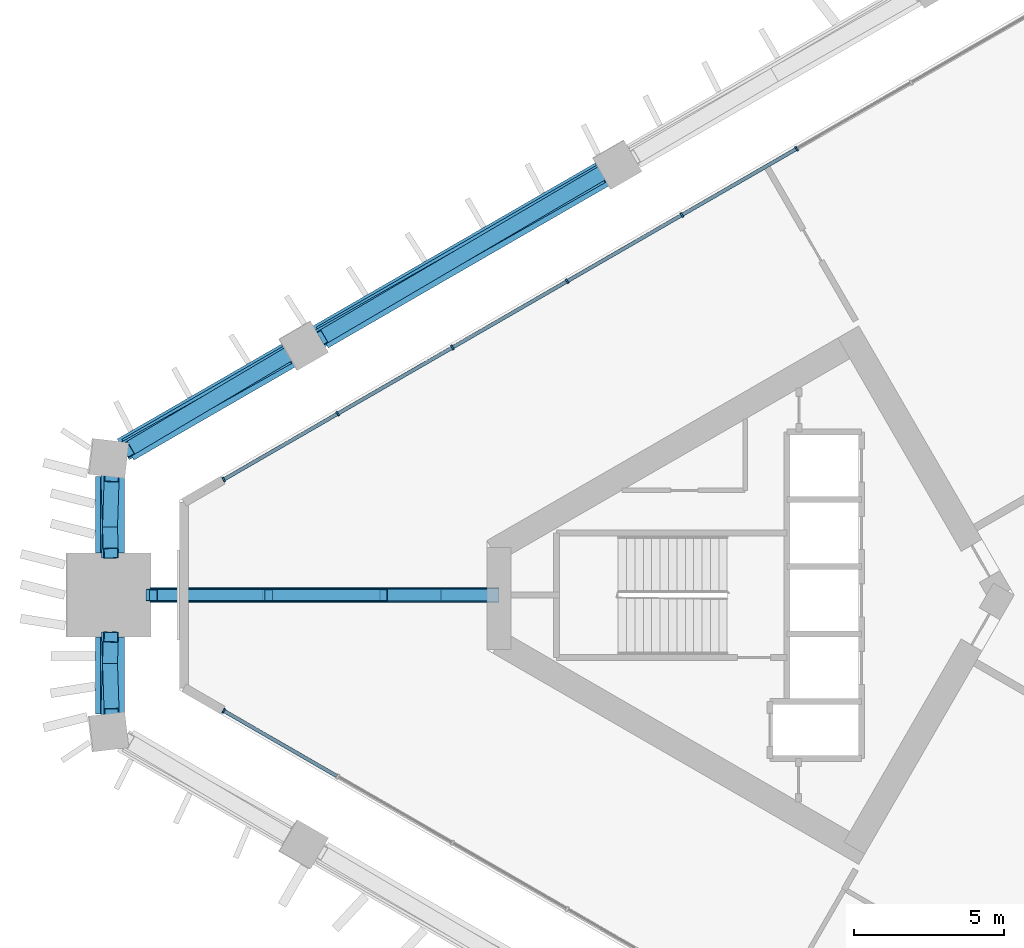
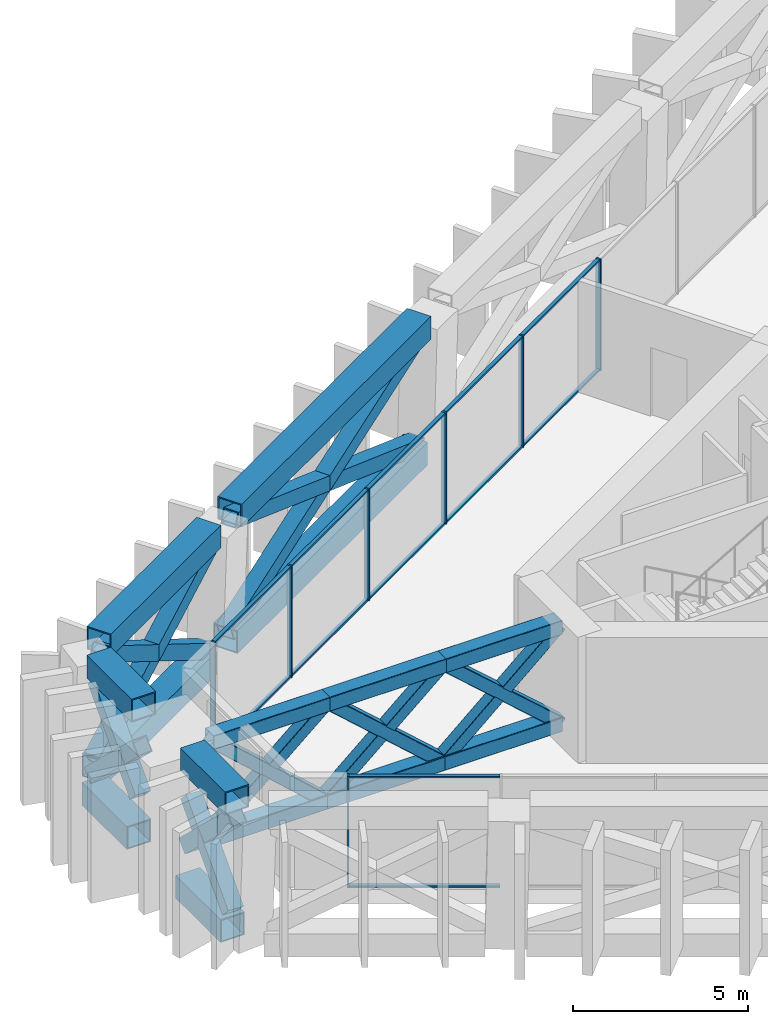
# One storey, part 6 of 18: 47 members, 2 elements without a shape of their own.
"""IFC4 building model written with IfcOpenShell, lengths in metres."""

from ifc_helpers import new_model, si_unit, direction, frame, origin, origin_2d, place, context, subcontext, project, spatial, rectangle, hollow_rectangle, extrude, material, layer, layer_set, material_profile, profile_set, type_object, element, aggregate, save


model = new_model("IFC4")

# Units and contexts
model_context = context("Model", 3, precision=1e-05, world=origin(), true_north=direction((0.0, 1.0)))
body_context = subcontext(model_context, "Body", "Model", "MODEL_VIEW")
ifc_project = project(units=[si_unit("LENGTHUNIT", "METRE"), si_unit("AREAUNIT", "SQUARE_METRE"), si_unit("VOLUMEUNIT", "CUBIC_METRE"), si_unit("PLANEANGLEUNIT", "RADIAN"), si_unit("MASSUNIT", "GRAM", prefix="KILO")], contexts=[model_context])

# Site, building, storey
site_placement = place(None, origin())
site = spatial("IfcSite", under=ifc_project, at=site_placement, CompositionType="ELEMENT")
building_placement = place(site_placement, origin())
building = spatial("IfcBuilding", under=site, at=building_placement, Name="Jabali Bay Hotel Tower and Convention Centre", CompositionType="ELEMENT")
storey_placement = place(building_placement, frame((0.0, 0.0, 52.89990234375)))
storey = spatial("IfcBuildingStorey", under=building, at=storey_placement, Name="L11", CompositionType="ELEMENT", Elevation=52.89990234375)

# Members
ifc_material_1 = material(Name="Steel Q420GJC", Category="steel")
ifc_material_profile_1 = material_profile(ifc_material_1, hollow_rectangle(XDim=0.5, YDim=0.5, WallThickness=0.030029296875, at=origin_2d()), Name="Belt brace 500x500x30")
ifc_profile_set_1 = profile_set([ifc_material_profile_1], Name="Steel Q420GJC")
member_type_1 = type_object("IfcMemberType", Name="Belt brace 500x500x30", PredefinedType="BRACE", material=ifc_profile_set_1)
member_1_placement = place(storey_placement, frame((52.21337890625, 94.07568359375, 0.219970703125), z_axis=(-0.809606268259, -0.475455089943, 0.344209453449), x_axis=(0.506399714838, -0.862298862815, 0.0)))
element("IfcMember", 1, at=member_1_placement, inside=storey, type_object=member_type_1, Name="Belt brace T1 F1.4-F1.5 x1", PredefinedType="BRACE", context=body_context, shape_type="SweptSolid", body=[
    extrude(hollow_rectangle(XDim=0.5, YDim=0.5, WallThickness=0.030029296875, at=origin_2d()), origin(), (0.0, 0.0, 1.0), 11.505126953125),
])
member_2_placement = place(storey_placement, frame((42.77734375, 88.6279296875, 0.217529296875), z_axis=(0.81764262067, 0.464122989856, 0.340661701914), x_axis=(-0.493650212477, 0.86966054741, 0.0)))
element("IfcMember", 2, at=member_2_placement, inside=storey, type_object=member_type_1, Name="Belt brace T1 F1.4-F1.5 x2", PredefinedType="BRACE", context=body_context, shape_type="SweptSolid", body=[
    extrude(hollow_rectangle(XDim=0.5, YDim=0.5, WallThickness=0.030029296875, at=origin_2d()), origin(), (0.0, 0.0, 1.0), 11.639404296875),
])
member_3_placement = place(storey_placement, frame((41.739501953125, 88.025390625, 0.356689453125), z_axis=(-0.739190475785, -0.438681780781, 0.511033986853), x_axis=(0.510355905698, -0.85996328382, 0.0)))
element("IfcMember", 3, at=member_3_placement, inside=storey, type_object=member_type_1, Name="Belt brace T1 F1.5-V3 x1", PredefinedType="BRACE", context=body_context, shape_type="SweptSolid", body=[
    extrude(hollow_rectangle(XDim=0.5, YDim=0.5, WallThickness=0.030029296875, at=origin_2d()), origin(), (0.0, 0.0, 1.0), 7.21435546875),
])
member_4_placement = place(storey_placement, frame((36.259033203125, 84.861572265625, 0.346435546875), z_axis=(0.755034238339, 0.42426642668, 0.499921291933), x_axis=(-0.48987496926, 0.87179270156, 0.0)))
element("IfcMember", 4, at=member_4_placement, inside=storey, type_object=member_type_1, Name="Belt brace T1 F1.5-V3 x2", PredefinedType="BRACE", context=body_context, shape_type="SweptSolid", body=[
    extrude(hollow_rectangle(XDim=0.5, YDim=0.5, WallThickness=0.030029296875, at=origin_2d()), origin(), (0.0, 0.0, 1.0), 7.415771484375),
])
member_5_placement = place(storey_placement, frame((35.756103515625, 83.9677734375, 0.57763671875), z_axis=(0.0244292941, -0.719945667307, 0.69360035014), x_axis=(0.999424801743, 0.033912618023, 0.0)))
element("IfcMember", 5, at=member_5_placement, inside=storey, type_object=member_type_1, Name="Belt brace T1 V3-M0 x1", PredefinedType="BRACE", context=body_context, shape_type="SweptSolid", body=[
    extrude(hollow_rectangle(XDim=0.5, YDim=0.5, WallThickness=0.030029296875, at=origin_2d()), origin(), (0.0, 0.0, 1.0), 3.56787109375),
])
for number, where, z_axis, x_axis, name in (
    (6, (35.783447265625, 81.399169921875, 1.351806640625), (0.024451418613, 0.718981601247, 0.694598866394), (-0.99942221528, 0.033988757035, 0.0), "Belt brace T1 V3-M0 x2"),
    (7, (35.783447265625, 78.600830078125, 1.351806640625), (0.024451418613, -0.718981601247, 0.694598866394), (0.99942221528, 0.033988757035, 0.0), "Belt brace T1 M0-V4 x1"),
):
    element("IfcMember", number, at=place(storey_placement, frame(where, z_axis=z_axis, x_axis=x_axis)), inside=storey, type_object=member_type_1, Name=name, PredefinedType="BRACE", context=body_context, shape_type="SweptSolid", body=[
        extrude(hollow_rectangle(XDim=0.5, YDim=0.5, WallThickness=0.030029296875, at=origin_2d()), origin(), (0.0, 0.0, 1.0), 3.554443359375),
    ])
member_6_placement = place(storey_placement, frame((35.756103515625, 76.0322265625, 0.57763671875), z_axis=(0.0244292941, 0.719945667307, 0.69360035014), x_axis=(-0.999424801743, 0.033912618023, 0.0)))
element("IfcMember", 8, at=member_6_placement, inside=storey, type_object=member_type_1, Name="Belt brace T1 M0-V4 x2", PredefinedType="BRACE", context=body_context, shape_type="SweptSolid", body=[
    extrude(hollow_rectangle(XDim=0.5, YDim=0.5, WallThickness=0.030029296875, at=origin_2d()), origin(), (0.0, 0.0, 1.0), 3.56787109375),
])
ifc_material_profile_2 = material_profile(ifc_material_1, hollow_rectangle(XDim=0.800048828125, YDim=0.800048828125, WallThickness=0.0400390625, at=origin_2d()), Name="Belt chord 800x800x40")
ifc_profile_set_2 = profile_set([ifc_material_profile_2], Name="Steel Q420GJC")
member_type_2 = type_object("IfcMemberType", Name="Belt chord 800x800x40", PredefinedType="CHORD", material=ifc_profile_set_2)
member_7_placement = place(storey_placement, frame((52.211181640625, 94.07958984375, 0.0), z_axis=(-0.866021405433, -0.500006925284, 0.0), x_axis=(0.500006925284, -0.866021405433, 0.0)))
element("IfcMember", 9, at=member_7_placement, inside=storey, type_object=member_type_2, Name="Belt chord T1 F1.4-F1.5", PredefinedType="CHORD", context=body_context, shape_type="SweptSolid", body=[
    extrude(hollow_rectangle(XDim=0.800048828125, YDim=0.800048828125, WallThickness=0.0400390625, at=origin_2d()), origin(), (0.0, 0.0, 1.0), 10.895751953125),
])
member_8_placement = place(storey_placement, frame((41.73583984375, 88.03173828125, 0.0), z_axis=(-0.866014693011, -0.500018551145, 0.0), x_axis=(0.500018551145, -0.866014693011, 0.0)))
element("IfcMember", 10, at=member_8_placement, inside=storey, type_object=member_type_2, Name="Belt chord T1 F1.5-V3", PredefinedType="CHORD", context=body_context, shape_type="SweptSolid", body=[
    extrude(hollow_rectangle(XDim=0.800048828125, YDim=0.800048828125, WallThickness=0.0400390625, at=origin_2d()), origin(), (0.0, 0.0, 1.0), 6.328369140625),
])
for number, where, z_axis, x_axis, name in (
    (11, (35.73583984375, 83.967529296875, 0.0), (0.0, -1.0, 0.0), (1.0, 0.0, 0.0), "Belt chord T1 V3-M0"),
    (12, (35.73583984375, 78.60009765625, 0.0), (0.0, -1.0, 0.0), (1.0, 0.0, 0.0), "Belt chord T1 M0-V4"),
):
    element("IfcMember", number, at=place(storey_placement, frame(where, z_axis=z_axis, x_axis=x_axis)), inside=storey, type_object=member_type_2, Name=name, PredefinedType="CHORD", context=body_context, shape_type="SweptSolid", body=[
        extrude(hollow_rectangle(XDim=0.800048828125, YDim=0.800048828125, WallThickness=0.0400390625, at=origin_2d()), origin(), (0.0, 0.0, 1.0), 2.567626953125),
    ])
member_9_placement = place(storey_placement, frame((52.29638671875, 94.026123046875, 4.400146484375), z_axis=(-0.866022945871, -0.500004257206, 0.0), x_axis=(0.500004257206, -0.866022945871, 0.0)))
element("IfcMember", 13, at=member_9_placement, inside=storey, type_object=member_type_2, Name="Belt chord T1 F1.4-F1.5", PredefinedType="CHORD", context=body_context, shape_type="SweptSolid", body=[
    extrude(hollow_rectangle(XDim=0.800048828125, YDim=0.800048828125, WallThickness=0.0400390625, at=origin_2d()), origin(), (0.0, 0.0, 1.0), 10.84912109375),
])
member_10_placement = place(storey_placement, frame((41.861572265625, 88.001708984375, 4.400146484375), z_axis=(-0.86602669382, -0.499997765587, 0.0), x_axis=(0.499997765587, -0.86602669382, 0.0)))
element("IfcMember", 14, at=member_10_placement, inside=storey, type_object=member_type_2, Name="Belt chord T1 F1.5-V3", PredefinedType="CHORD", context=body_context, shape_type="SweptSolid", body=[
    extrude(hollow_rectangle(XDim=0.800048828125, YDim=0.800048828125, WallThickness=0.0400390625, at=origin_2d()), origin(), (0.0, 0.0, 1.0), 6.29443359375),
])
for number, where, z_axis, x_axis, name in (
    (15, (35.890869140625, 83.954345703125, 4.400146484375), (0.0, -1.0, 0.0), (1.0, 0.0, 0.0), "Belt chord T1 V3-M0"),
    (16, (35.890869140625, 78.60009765625, 4.400146484375), (0.0, -1.0, 0.0), (1.0, 0.0, 0.0), "Belt chord T1 M0-V4"),
):
    element("IfcMember", number, at=place(storey_placement, frame(where, z_axis=z_axis, x_axis=x_axis)), inside=storey, type_object=member_type_2, Name=name, PredefinedType="CHORD", context=body_context, shape_type="SweptSolid", body=[
        extrude(hollow_rectangle(XDim=0.800048828125, YDim=0.800048828125, WallThickness=0.0400390625, at=origin_2d()), origin(), (0.0, 0.0, 1.0), 2.554443359375),
    ])

# Curtain wall, members
ifc_material_2 = material(Name="Aluminium and glass", Category="aluminium")
ifc_layer = layer(ifc_material_2, 0.159912109375)
ifc_layer_set = layer_set([ifc_layer], Name="Aluminium and glass")
curtain_wall_type = type_object("IfcCurtainWallType", Name="CW3 curtain wall", PredefinedType="NOTDEFINED", material=ifc_layer_set)
curtain_wall_1_placement = place(storey_placement, origin())
curtain_wall_1 = element("IfcCurtainWall", 17, at=curtain_wall_1_placement, inside=storey, type_object=curtain_wall_type, Name="CW3 curtain wall north-west face L11", PredefinedType="NOTDEFINED")
ifc_material_3 = material(Name="Aluminium", Category="aluminium")
ifc_material_profile_3 = material_profile(ifc_material_3, rectangle(XDim=0.159912109375, YDim=0.06005859375, at=origin_2d()), Name="CW3 mullion 60 x 160")
ifc_profile_set_3 = profile_set([ifc_material_profile_3], Name="Aluminium")
member_type_3 = type_object("IfcMemberType", Name="CW3 mullion 60 x 160", PredefinedType="MULLION", material=ifc_profile_set_3)
member_11_placement = place(storey_placement, frame((39.61083984375, 83.8603515625, 0.0), z_axis=(0.0, 0.0, 1.0), x_axis=(-0.500000005895, 0.866025400381, 0.0)))
member_11 = element("IfcMember", 18, at=member_11_placement, type_object=member_type_3, Name="CW3 mullion 1", PredefinedType="MULLION", context=body_context, shape_type="SweptSolid", body=[
    extrude(rectangle(XDim=0.159912109375, YDim=0.06005859375, at=origin_2d()), origin(), (0.0, 0.0, 1.0), 3.900146484375),
])
member_12_placement = place(storey_placement, frame((43.4150390625, 86.056640625, 0.0), z_axis=(0.0, 0.0, 1.0), x_axis=(-0.500000005895, 0.866025400381, 0.0)))
member_12 = element("IfcMember", 19, at=member_12_placement, type_object=member_type_3, Name="CW3 mullion 2", PredefinedType="MULLION", context=body_context, shape_type="SweptSolid", body=[
    extrude(rectangle(XDim=0.159912109375, YDim=0.06005859375, at=origin_2d()), origin(), (0.0, 0.0, 1.0), 3.900146484375),
])
member_13_placement = place(storey_placement, frame((47.245361328125, 88.26806640625, 0.0), z_axis=(0.0, 0.0, 1.0), x_axis=(-0.500000005895, 0.866025400381, 0.0)))
member_13 = element("IfcMember", 20, at=member_13_placement, type_object=member_type_3, Name="CW3 mullion 3", PredefinedType="MULLION", context=body_context, shape_type="SweptSolid", body=[
    extrude(rectangle(XDim=0.159912109375, YDim=0.06005859375, at=origin_2d()), origin(), (0.0, 0.0, 1.0), 3.900146484375),
])
member_14_placement = place(storey_placement, frame((51.075439453125, 90.4794921875, 0.0), z_axis=(0.0, 0.0, 1.0), x_axis=(-0.500000005895, 0.866025400381, 0.0)))
member_14 = element("IfcMember", 21, at=member_14_placement, type_object=member_type_3, Name="CW3 mullion 4", PredefinedType="MULLION", context=body_context, shape_type="SweptSolid", body=[
    extrude(rectangle(XDim=0.159912109375, YDim=0.06005859375, at=origin_2d()), origin(), (0.0, 0.0, 1.0), 3.900146484375),
])
member_15_placement = place(storey_placement, frame((54.90576171875, 92.690673828125, 0.0), z_axis=(0.0, 0.0, 1.0), x_axis=(-0.500000005895, 0.866025400381, 0.0)))
member_15 = element("IfcMember", 22, at=member_15_placement, type_object=member_type_3, Name="CW3 mullion 5", PredefinedType="MULLION", context=body_context, shape_type="SweptSolid", body=[
    extrude(rectangle(XDim=0.159912109375, YDim=0.06005859375, at=origin_2d()), origin(), (0.0, 0.0, 1.0), 3.900146484375),
])
member_16_placement = place(storey_placement, frame((58.73583984375, 94.902099609375, 0.0), z_axis=(0.0, 0.0, 1.0), x_axis=(-0.500000005895, 0.866025400381, 0.0)))
member_16 = element("IfcMember", 23, at=member_16_placement, type_object=member_type_3, Name="CW3 mullion 6", PredefinedType="MULLION", context=body_context, shape_type="SweptSolid", body=[
    extrude(rectangle(XDim=0.159912109375, YDim=0.06005859375, at=origin_2d()), origin(), (0.0, 0.0, 1.0), 3.900146484375),
])

# Curtain wall, member
curtain_wall_2_placement = place(storey_placement, origin())
curtain_wall_2 = element("IfcCurtainWall", 24, at=curtain_wall_2_placement, inside=storey, type_object=curtain_wall_type, Name="CW3 curtain wall south-west face L11", PredefinedType="NOTDEFINED")
member_17_placement = place(storey_placement, frame((39.61083984375, 76.1396484375, 0.0), z_axis=(0.0, 0.0, 1.0), x_axis=(-0.500000005895, -0.866025400381, 0.0)))
member_17 = element("IfcMember", 25, at=member_17_placement, type_object=member_type_3, Name="CW3 mullion 14", PredefinedType="MULLION", context=body_context, shape_type="SweptSolid", body=[
    extrude(rectangle(XDim=0.159912109375, YDim=0.06005859375, at=origin_2d()), origin(), (0.0, 0.0, 1.0), 3.900146484375),
])

# Member
ifc_material_profile_4 = material_profile(ifc_material_3, rectangle(XDim=0.1201171875, YDim=0.06005859375, at=origin_2d()), Name="CW3 transom 60 x 120")
ifc_profile_set_4 = profile_set([ifc_material_profile_4], Name="Aluminium")
member_type_4 = type_object("IfcMemberType", Name="CW3 transom 60 x 120", PredefinedType="USERDEFINED", material=ifc_profile_set_4)
member_18_placement = place(storey_placement, frame((39.636962890625, 83.875244140625, 0.030029296875), z_axis=(0.866008233186, 0.500029739169, 0.0), x_axis=(-0.500029739169, 0.866008233186, 0.0)))
member_18 = element("IfcMember", 26, at=member_18_placement, type_object=member_type_4, Name="CW3 transom 1.1", ObjectType="TRANSOM", PredefinedType="USERDEFINED", context=body_context, shape_type="SweptSolid", body=[
    extrude(rectangle(XDim=0.1201171875, YDim=0.06005859375, at=origin_2d()), origin(), (0.0, 0.0, 1.0), 4.332763671875),
])

member_19_placement = place(storey_placement, frame((39.636962890625, 83.875244140625, 3.8701171875), z_axis=(0.866008233186, 0.500029739169, 0.0), x_axis=(-0.500029739169, 0.866008233186, 0.0)))
member_19 = element("IfcMember", 27, at=member_19_placement, type_object=member_type_4, Name="CW3 transom 1.2", ObjectType="TRANSOM", PredefinedType="USERDEFINED", context=body_context, shape_type="SweptSolid", body=[
    extrude(rectangle(XDim=0.1201171875, YDim=0.06005859375, at=origin_2d()), origin(), (0.0, 0.0, 1.0), 4.332763671875),
])

member_20_placement = place(storey_placement, frame((43.441162109375, 86.071533203125, 0.030029296875), z_axis=(0.866013176292, 0.50002117804, 0.0), x_axis=(-0.50002117804, 0.866013176292, 0.0)))
member_20 = element("IfcMember", 28, at=member_20_placement, type_object=member_type_4, Name="CW3 transom 2.1", ObjectType="TRANSOM", PredefinedType="USERDEFINED", context=body_context, shape_type="SweptSolid", body=[
    extrude(rectangle(XDim=0.1201171875, YDim=0.06005859375, at=origin_2d()), origin(), (0.0, 0.0, 1.0), 4.362548828125),
])

member_21_placement = place(storey_placement, frame((43.441162109375, 86.071533203125, 3.8701171875), z_axis=(0.866013176292, 0.50002117804, 0.0), x_axis=(-0.50002117804, 0.866013176292, 0.0)))
member_21 = element("IfcMember", 29, at=member_21_placement, type_object=member_type_4, Name="CW3 transom 2.2", ObjectType="TRANSOM", PredefinedType="USERDEFINED", context=body_context, shape_type="SweptSolid", body=[
    extrude(rectangle(XDim=0.1201171875, YDim=0.06005859375, at=origin_2d()), origin(), (0.0, 0.0, 1.0), 4.362548828125),
])

member_22_placement = place(storey_placement, frame((47.271240234375, 88.282958984375, 0.030029296875), z_axis=(0.86602716698, 0.499996946043, 0.0), x_axis=(-0.499996946043, 0.86602716698, 0.0)))
member_22 = element("IfcMember", 30, at=member_22_placement, type_object=member_type_4, Name="CW3 transom 3.1", ObjectType="TRANSOM", PredefinedType="USERDEFINED", context=body_context, shape_type="SweptSolid", body=[
    extrude(rectangle(XDim=0.1201171875, YDim=0.06005859375, at=origin_2d()), origin(), (0.0, 0.0, 1.0), 4.36279296875),
])

member_23_placement = place(storey_placement, frame((47.271240234375, 88.282958984375, 3.8701171875), z_axis=(0.86602716698, 0.499996946043, 0.0), x_axis=(-0.499996946043, 0.86602716698, 0.0)))
member_23 = element("IfcMember", 31, at=member_23_placement, type_object=member_type_4, Name="CW3 transom 3.2", ObjectType="TRANSOM", PredefinedType="USERDEFINED", context=body_context, shape_type="SweptSolid", body=[
    extrude(rectangle(XDim=0.1201171875, YDim=0.06005859375, at=origin_2d()), origin(), (0.0, 0.0, 1.0), 4.36279296875),
])

member_24_placement = place(storey_placement, frame((51.1015625, 90.494384765625, 0.030029296875), z_axis=(0.866013176292, 0.50002117804, 0.0), x_axis=(-0.50002117804, 0.866013176292, 0.0)))
member_24 = element("IfcMember", 32, at=member_24_placement, type_object=member_type_4, Name="CW3 transom 4.1", ObjectType="TRANSOM", PredefinedType="USERDEFINED", context=body_context, shape_type="SweptSolid", body=[
    extrude(rectangle(XDim=0.1201171875, YDim=0.06005859375, at=origin_2d()), origin(), (0.0, 0.0, 1.0), 4.362548828125),
])

member_25_placement = place(storey_placement, frame((51.1015625, 90.494384765625, 3.8701171875), z_axis=(0.866013176292, 0.50002117804, 0.0), x_axis=(-0.50002117804, 0.866013176292, 0.0)))
member_25 = element("IfcMember", 33, at=member_25_placement, type_object=member_type_4, Name="CW3 transom 4.2", ObjectType="TRANSOM", PredefinedType="USERDEFINED", context=body_context, shape_type="SweptSolid", body=[
    extrude(rectangle(XDim=0.1201171875, YDim=0.06005859375, at=origin_2d()), origin(), (0.0, 0.0, 1.0), 4.362548828125),
])

member_26_placement = place(storey_placement, frame((54.931640625, 92.705810546875, 0.030029296875), z_axis=(0.86602716698, 0.499996946043, 0.0), x_axis=(-0.499996946043, 0.86602716698, 0.0)))
member_26 = element("IfcMember", 34, at=member_26_placement, type_object=member_type_4, Name="CW3 transom 5.1", ObjectType="TRANSOM", PredefinedType="USERDEFINED", context=body_context, shape_type="SweptSolid", body=[
    extrude(rectangle(XDim=0.1201171875, YDim=0.06005859375, at=origin_2d()), origin(), (0.0, 0.0, 1.0), 4.36279296875),
])

member_27_placement = place(storey_placement, frame((54.931640625, 92.705810546875, 3.8701171875), z_axis=(0.86602716698, 0.499996946043, 0.0), x_axis=(-0.499996946043, 0.86602716698, 0.0)))
member_27 = element("IfcMember", 35, at=member_27_placement, type_object=member_type_4, Name="CW3 transom 5.2", ObjectType="TRANSOM", PredefinedType="USERDEFINED", context=body_context, shape_type="SweptSolid", body=[
    extrude(rectangle(XDim=0.1201171875, YDim=0.06005859375, at=origin_2d()), origin(), (0.0, 0.0, 1.0), 4.36279296875),
])

aggregate(curtain_wall_1, [member_11, member_12, member_13, member_14, member_15, member_16, member_18, member_19, member_20, member_21, member_22, member_23, member_24, member_25, member_26, member_27])

member_28_placement = place(storey_placement, frame((43.38916015625, 73.958251953125, 0.030029296875), z_axis=(-0.866008233186, 0.500029739169, 0.0), x_axis=(-0.500029739169, -0.866008233186, 0.0)))
member_28 = element("IfcMember", 36, at=member_28_placement, type_object=member_type_4, Name="CW3 transom 13.1", ObjectType="TRANSOM", PredefinedType="USERDEFINED", context=body_context, shape_type="SweptSolid", body=[
    extrude(rectangle(XDim=0.1201171875, YDim=0.06005859375, at=origin_2d()), origin(), (0.0, 0.0, 1.0), 4.332763671875),
])

member_29_placement = place(storey_placement, frame((43.38916015625, 73.958251953125, 3.8701171875), z_axis=(-0.866008233186, 0.500029739169, 0.0), x_axis=(-0.500029739169, -0.866008233186, 0.0)))
member_29 = element("IfcMember", 37, at=member_29_placement, type_object=member_type_4, Name="CW3 transom 13.2", ObjectType="TRANSOM", PredefinedType="USERDEFINED", context=body_context, shape_type="SweptSolid", body=[
    extrude(rectangle(XDim=0.1201171875, YDim=0.06005859375, at=origin_2d()), origin(), (0.0, 0.0, 1.0), 4.332763671875),
])

aggregate(curtain_wall_2, [member_17, member_28, member_29])

# Members
ifc_material_profile_5 = material_profile(ifc_material_1, hollow_rectangle(XDim=0.39990234375, YDim=0.39990234375, WallThickness=0.011962890625, InnerFilletRadius=0.01806640625, OuterFilletRadius=0.030029296875, at=origin_2d()), Name="Outrigger brace 400x400x12")
ifc_profile_set_5 = profile_set([ifc_material_profile_5], Name="Steel Q420GJC")
member_type_5 = type_object("IfcMemberType", Name="Outrigger brace 400x400x12", PredefinedType="BRACE", material=ifc_profile_set_5)
member_30_placement = place(storey_placement, frame((48.796875, 80.0, 0.25), z_axis=(-0.749047407582, 0.0, 0.662516400698), x_axis=(0.0, -1.0, 0.0)))
element("IfcMember", 38, at=member_30_placement, inside=storey, type_object=member_type_5, Name="Outrigger brace T1 1.1x1", PredefinedType="BRACE", context=body_context, shape_type="SweptSolid", body=[
    extrude(hollow_rectangle(XDim=0.39990234375, YDim=0.39990234375, WallThickness=0.011962890625, InnerFilletRadius=0.01806640625, OuterFilletRadius=0.030029296875, at=origin_2d()), origin(), (0.0, 0.0, 1.0), 5.132080078125),
])
member_31_placement = place(storey_placement, frame((44.912841796875, 80.0, 0.25), z_axis=(0.752421394428, 0.0, 0.658682051681), x_axis=(0.0, 1.0, 0.0)))
element("IfcMember", 39, at=member_31_placement, inside=storey, type_object=member_type_5, Name="Outrigger brace T1 1.1x2", PredefinedType="BRACE", context=body_context, shape_type="SweptSolid", body=[
    extrude(hollow_rectangle(XDim=0.39990234375, YDim=0.39990234375, WallThickness=0.011962890625, InnerFilletRadius=0.01806640625, OuterFilletRadius=0.030029296875, at=origin_2d()), origin(), (0.0, 0.0, 1.0), 5.162109375),
])
member_32_placement = place(storey_placement, frame((44.912841796875, 80.0, 0.25), z_axis=(-0.745592867828, 0.0, 0.666401737276), x_axis=(0.0, -1.0, 0.0)))
element("IfcMember", 40, at=member_32_placement, inside=storey, type_object=member_type_5, Name="Outrigger brace T1 1.2x1", PredefinedType="BRACE", context=body_context, shape_type="SweptSolid", body=[
    extrude(hollow_rectangle(XDim=0.39990234375, YDim=0.39990234375, WallThickness=0.011962890625, InnerFilletRadius=0.01806640625, OuterFilletRadius=0.030029296875, at=origin_2d()), origin(), (0.0, 0.0, 1.0), 5.102294921875),
])
member_33_placement = place(storey_placement, frame((41.02880859375, 80.0, 0.25), z_axis=(0.755737176833, 0.0, 0.654875041174), x_axis=(0.0, 1.0, 0.0)))
element("IfcMember", 41, at=member_33_placement, inside=storey, type_object=member_type_5, Name="Outrigger brace T1 1.2x2", PredefinedType="BRACE", context=body_context, shape_type="SweptSolid", body=[
    extrude(hollow_rectangle(XDim=0.39990234375, YDim=0.39990234375, WallThickness=0.011962890625, InnerFilletRadius=0.01806640625, OuterFilletRadius=0.030029296875, at=origin_2d()), origin(), (0.0, 0.0, 1.0), 5.192138671875),
])
member_34_placement = place(storey_placement, frame((41.02880859375, 80.0, 0.25), z_axis=(-0.742098781398, 0.0, 0.670290533013), x_axis=(0.0, -1.0, 0.0)))
element("IfcMember", 42, at=member_34_placement, inside=storey, type_object=member_type_5, Name="Outrigger brace T1 1.3x1", PredefinedType="BRACE", context=body_context, shape_type="SweptSolid", body=[
    extrude(hollow_rectangle(XDim=0.39990234375, YDim=0.39990234375, WallThickness=0.011962890625, InnerFilletRadius=0.01806640625, OuterFilletRadius=0.030029296875, at=origin_2d()), origin(), (0.0, 0.0, 1.0), 5.07275390625),
])
member_35_placement = place(storey_placement, frame((37.144775390625, 80.0, 0.25), z_axis=(0.759015655855, 0.0, 0.65107237245), x_axis=(0.0, 1.0, 0.0)))
element("IfcMember", 43, at=member_35_placement, inside=storey, type_object=member_type_5, Name="Outrigger brace T1 1.3x2", PredefinedType="BRACE", context=body_context, shape_type="SweptSolid", body=[
    extrude(hollow_rectangle(XDim=0.39990234375, YDim=0.39990234375, WallThickness=0.011962890625, InnerFilletRadius=0.01806640625, OuterFilletRadius=0.030029296875, at=origin_2d()), origin(), (0.0, 0.0, 1.0), 5.222412109375),
])
ifc_material_profile_6 = material_profile(ifc_material_1, hollow_rectangle(XDim=0.5, YDim=0.5, WallThickness=0.01611328125, InnerFilletRadius=0.02392578125, OuterFilletRadius=0.0400390625, at=origin_2d()), Name="Outrigger chord 500x500x16")
ifc_profile_set_6 = profile_set([ifc_material_profile_6], Name="Steel Q420GJC")
member_type_6 = type_object("IfcMemberType", Name="Outrigger chord 500x500x16", PredefinedType="CHORD", material=ifc_profile_set_6)
for number, where, z_axis, x_axis, name in (
    (44, (48.796875, 80.0, 0.25), (-1.0, 0.0, 0.0), (0.0, -1.0, 0.0), "Outrigger chord T1 1.lo1"),
    (45, (44.912841796875, 80.0, 0.25), (-1.0, 0.0, 0.0), (0.0, -1.0, 0.0), "Outrigger chord T1 1.lo2"),
    (46, (41.02880859375, 80.0, 0.25), (-1.0, 0.0, 0.0), (0.0, -1.0, 0.0), "Outrigger chord T1 1.lo3"),
):
    element("IfcMember", number, at=place(storey_placement, frame(where, z_axis=z_axis, x_axis=x_axis)), inside=storey, type_object=member_type_6, Name=name, PredefinedType="CHORD", context=body_context, shape_type="SweptSolid", body=[
        extrude(hollow_rectangle(XDim=0.5, YDim=0.5, WallThickness=0.01611328125, InnerFilletRadius=0.02392578125, OuterFilletRadius=0.0400390625, at=origin_2d()), origin(), (0.0, 0.0, 1.0), 3.884033203125),
    ])
member_36_placement = place(storey_placement, frame((48.796875, 80.0, 3.650146484375), z_axis=(-1.0, 0.0, 0.0), x_axis=(0.0, -1.0, 0.0)))
element("IfcMember", 47, at=member_36_placement, inside=storey, type_object=member_type_6, Name="Outrigger chord T1 1.hi1", PredefinedType="CHORD", context=body_context, shape_type="SweptSolid", body=[
    extrude(hollow_rectangle(XDim=0.5, YDim=0.5, WallThickness=0.01611328125, InnerFilletRadius=0.02392578125, OuterFilletRadius=0.0400390625, at=origin_2d()), origin(), (0.0, 0.0, 1.0), 3.84423828125),
])
member_37_placement = place(storey_placement, frame((44.95263671875, 80.0, 3.650146484375), z_axis=(-1.0, 0.0, 0.0), x_axis=(0.0, -1.0, 0.0)))
element("IfcMember", 48, at=member_37_placement, inside=storey, type_object=member_type_6, Name="Outrigger chord T1 1.hi2", PredefinedType="CHORD", context=body_context, shape_type="SweptSolid", body=[
    extrude(hollow_rectangle(XDim=0.5, YDim=0.5, WallThickness=0.01611328125, InnerFilletRadius=0.02392578125, OuterFilletRadius=0.0400390625, at=origin_2d()), origin(), (0.0, 0.0, 1.0), 3.843994140625),
])
member_38_placement = place(storey_placement, frame((41.108642578125, 80.0, 3.650146484375), z_axis=(-1.0, 0.0, 0.0), x_axis=(0.0, -1.0, 0.0)))
element("IfcMember", 49, at=member_38_placement, inside=storey, type_object=member_type_6, Name="Outrigger chord T1 1.hi3", PredefinedType="CHORD", context=body_context, shape_type="SweptSolid", body=[
    extrude(hollow_rectangle(XDim=0.5, YDim=0.5, WallThickness=0.01611328125, InnerFilletRadius=0.02392578125, OuterFilletRadius=0.0400390625, at=origin_2d()), origin(), (0.0, 0.0, 1.0), 3.84423828125),
])

save(model, "model.ifc")
